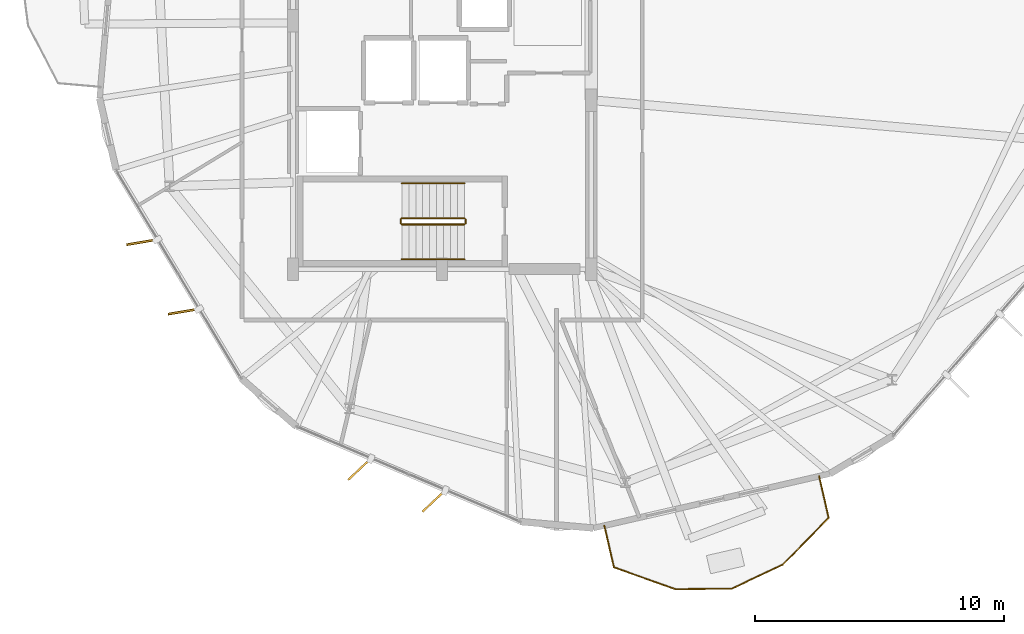
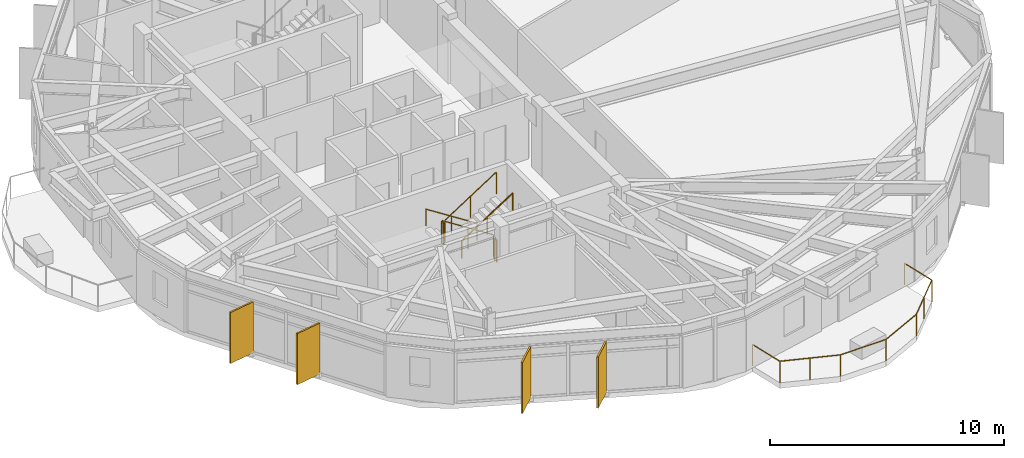
# One storey, part 25 of 27: 7 railings, 4 shading devices.
"""IFC4 building model written with IfcOpenShell, lengths in metres."""

from ifc_helpers import new_model, si_unit, direction, frame, origin, origin_2d, place, context, subcontext, project, spatial, rectangle, circle, extrude, material, layer, layer_set, type_object, element, save


model = new_model("IFC4")

# Units and contexts
model_context = context("Model", 3, precision=1e-05, world=origin(), true_north=direction((0.0, 1.0)))
body_context = subcontext(model_context, "Body", "Model", "MODEL_VIEW")
ifc_project = project(units=[si_unit("LENGTHUNIT", "METRE"), si_unit("AREAUNIT", "SQUARE_METRE"), si_unit("VOLUMEUNIT", "CUBIC_METRE"), si_unit("PLANEANGLEUNIT", "RADIAN"), si_unit("MASSUNIT", "GRAM", prefix="KILO")], contexts=[model_context])

# Site, building, storey
site_placement = place(None, origin())
site = spatial("IfcSite", under=ifc_project, at=site_placement, CompositionType="ELEMENT")
building_placement = place(site_placement, origin())
building = spatial("IfcBuilding", under=site, at=building_placement, Name="Soratama Intermodal Tower", CompositionType="ELEMENT")
storey_placement = place(building_placement, frame((0.0, 0.0, 212.199951171875)))
storey = spatial("IfcBuildingStorey", under=building, at=storey_placement, Name="L53", CompositionType="ELEMENT", Elevation=212.199951171875)

# Railings
ifc_material_1 = material(Name="Laminated glass and stainless steel balustrade", Category="steel")
railing_type_1 = type_object("IfcRailingType", Name="RL-BAL-1150", PredefinedType="BALUSTRADE", material=ifc_material_1)
railing_1_placement = place(storey_placement, frame((53.769287109375, 6.6669921875, 0.0)))
element("IfcRailing", 1, at=railing_1_placement, inside=storey, type_object=railing_type_1, Name="L53 Balcony Balustrade 3", PredefinedType="BALUSTRADE", context=body_context, shape_type="SweptSolid", body=[
    extrude(circle(Radius=0.02392578125, at=origin_2d()), frame((0.0, 0.0, 1.1259765625), z_axis=(0.224258231116, -0.974529756229, 0.0), x_axis=(0.974529756229, 0.224258231116, 0.0)), (0.0, 0.0, 1.0), 1.719970703125),
    extrude(circle(Radius=0.02392578125, at=origin_2d()), frame((0.3857421875, -1.67626953125, 1.1259765625), z_axis=(-0.700813470763, -0.713344572558, 0.0), x_axis=(0.713344572558, -0.700813470763, 0.0)), (0.0, 0.0, 1.0), 2.630126953125),
    extrude(circle(Radius=0.02392578125, at=origin_2d()), frame((-1.45751953125, -3.552490234375, 1.1259765625), z_axis=(-0.904125158054, -0.427267713003, 0.0), x_axis=(0.427267713003, -0.904125158054, 0.0)), (0.0, 0.0, 1.0), 2.26953125),
    extrude(circle(Radius=0.02392578125, at=origin_2d()), frame((-3.509521484375, -4.522216796875, 1.1259765625), z_axis=(-0.999939807982, -0.010971800819, 0.0), x_axis=(0.010971800819, -0.999939807982, 0.0)), (0.0, 0.0, 1.0), 2.269775390625),
    extrude(circle(Radius=0.02392578125, at=origin_2d()), frame((-5.779052734375, -4.547119140625, 1.1259765625), z_axis=(-0.942123503754, 0.335266019267, 0.0), x_axis=(-0.335266019267, -0.942123503754, 0.0)), (0.0, 0.0, 1.0), 2.63037109375),
    extrude(circle(Radius=0.02392578125, at=origin_2d()), frame((-8.257080078125, -3.665283203125, 1.1259765625), z_axis=(-0.224258231116, 0.974529756229, 0.0), x_axis=(-0.974529756229, -0.224258231116, 0.0)), (0.0, 0.0, 1.0), 1.719970703125),
    extrude(circle(Radius=0.02099609375, at=origin_2d()), origin(), (0.0, 0.0, 1.0), 1.101806640625),
    extrude(circle(Radius=0.02099609375, at=origin_2d()), frame((0.3857421875, -1.67626953125, 0.0)), (0.0, 0.0, 1.0), 1.101806640625),
    extrude(circle(Radius=0.02099609375, at=origin_2d()), frame((-0.535888671875, -2.6142578125, 0.0)), (0.0, 0.0, 1.0), 1.101806640625),
    extrude(circle(Radius=0.02099609375, at=origin_2d()), frame((-1.45751953125, -3.552490234375, 0.0)), (0.0, 0.0, 1.0), 1.101806640625),
    extrude(circle(Radius=0.02099609375, at=origin_2d()), frame((-3.509521484375, -4.522216796875, 0.0)), (0.0, 0.0, 1.0), 1.101806640625),
    extrude(circle(Radius=0.02099609375, at=origin_2d()), frame((-5.779052734375, -4.547119140625, 0.0)), (0.0, 0.0, 1.0), 1.101806640625),
    extrude(circle(Radius=0.02099609375, at=origin_2d()), frame((-7.01806640625, -4.106201171875, 0.0)), (0.0, 0.0, 1.0), 1.101806640625),
    extrude(circle(Radius=0.02099609375, at=origin_2d()), frame((-8.257080078125, -3.665283203125, 0.0)), (0.0, 0.0, 1.0), 1.101806640625),
    extrude(circle(Radius=0.02099609375, at=origin_2d()), frame((-8.642822265625, -1.989013671875, 0.0)), (0.0, 0.0, 1.0), 1.101806640625),
])
ifc_material_2 = material(Name="Painted steel stair guardrail", Category="steel")
railing_type_2 = type_object("IfcRailingType", Name="RL-STAIR-GUARD", PredefinedType="GUARDRAIL", material=ifc_material_2)
railing_2_placement = place(storey_placement, frame((39.5, 17.050048828125, 0.179931640625)))
element("IfcRailing", 2, at=railing_2_placement, inside=storey, type_object=railing_type_2, Name="L53 ST-1 stair guard 1", PredefinedType="GUARDRAIL", context=body_context, shape_type="SweptSolid", body=[
    extrude(circle(Radius=0.02392578125, at=origin_2d()), frame((0.0, 0.0, 1.1259765625), z_axis=(-0.841162588446, 0.0, 0.540782303519), x_axis=(0.0, -1.0, 0.0)), (0.0, 0.0, 1.0), 2.995849609375),
    extrude(circle(Radius=0.02099609375, at=origin_2d()), origin(), (0.0, 0.0, 1.0), 1.101806640625),
    extrude(circle(Radius=0.02099609375, at=origin_2d()), frame((-1.260009765625, 0.0, 0.81005859375)), (0.0, 0.0, 1.0), 1.101806640625),
    extrude(circle(Radius=0.02099609375, at=origin_2d()), frame((-2.52001953125, 0.0, 1.6201171875)), (0.0, 0.0, 1.0), 1.101806640625),
])
railing_3_placement = place(storey_placement, frame((36.929931640625, 17.0, 1.800048828125)))
element("IfcRailing", 3, at=railing_3_placement, inside=storey, type_object=railing_type_2, Name="L53 ST-1 stair guard 2", PredefinedType="GUARDRAIL", context=body_context, shape_type="SweptSolid", body=[
    extrude(circle(Radius=0.02392578125, at=origin_2d()), frame((0.0, 0.0, 1.1259765625), z_axis=(0.0, -1.0, 0.0), x_axis=(1.0, 0.0, 0.0)), (0.0, 0.0, 1.0), 0.14990234375),
    extrude(circle(Radius=0.02099609375, at=origin_2d()), origin(), (0.0, 0.0, 1.0), 1.101806640625),
    extrude(circle(Radius=0.02099609375, at=origin_2d()), frame((0.0, -0.14990234375, 0.0)), (0.0, 0.0, 1.0), 1.101806640625),
])
railing_4_placement = place(storey_placement, frame((36.97998046875, 16.800048828125, 1.97998046875)))
element("IfcRailing", 4, at=railing_4_placement, inside=storey, type_object=railing_type_2, Name="L53 ST-1 stair guard 3", PredefinedType="GUARDRAIL", context=body_context, shape_type="SweptSolid", body=[
    extrude(circle(Radius=0.02392578125, at=origin_2d()), frame((0.0, 0.0, 1.1259765625), z_axis=(0.841162588446, 0.0, 0.540782303519), x_axis=(0.0, 1.0, 0.0)), (0.0, 0.0, 1.0), 2.995849609375),
    extrude(circle(Radius=0.02099609375, at=origin_2d()), origin(), (0.0, 0.0, 1.0), 1.101806640625),
    extrude(circle(Radius=0.02099609375, at=origin_2d()), frame((1.260009765625, 0.0, 0.81005859375)), (0.0, 0.0, 1.0), 1.101806640625),
    extrude(circle(Radius=0.02099609375, at=origin_2d()), frame((2.52001953125, 0.0, 1.6201171875)), (0.0, 0.0, 1.0), 1.101806640625),
])
railing_5_placement = place(storey_placement, frame((39.550048828125, 17.0, 0.0)))
element("IfcRailing", 5, at=railing_5_placement, inside=storey, type_object=railing_type_2, Name="L53 ST-1 stair guard 4", PredefinedType="GUARDRAIL", context=body_context, shape_type="SweptSolid", body=[
    extrude(circle(Radius=0.02392578125, at=origin_2d()), frame((0.0, 0.0, 1.1259765625), z_axis=(0.0, -1.0, 0.0), x_axis=(1.0, 0.0, 0.0)), (0.0, 0.0, 1.0), 0.14990234375),
    extrude(circle(Radius=0.02099609375, at=origin_2d()), origin(), (0.0, 0.0, 1.0), 1.101806640625),
    extrude(circle(Radius=0.02099609375, at=origin_2d()), frame((0.0, -0.14990234375, 0.0)), (0.0, 0.0, 1.0), 1.101806640625),
])
ifc_material_3 = material(Name="Brushed stainless steel handrail", Category="steel")
railing_type_3 = type_object("IfcRailingType", Name="RL-STAIR-HAND", PredefinedType="HANDRAIL", material=ifc_material_3)
railing_6_placement = place(storey_placement, frame((39.5, 18.449951171875, 0.179931640625)))
element("IfcRailing", 6, at=railing_6_placement, inside=storey, type_object=railing_type_3, Name="L53 ST-1 stair handrail 1", PredefinedType="HANDRAIL", context=body_context, shape_type="SweptSolid", body=[
    extrude(circle(Radius=0.02392578125, at=origin_2d()), frame((0.0, 0.0, 0.8759765625), z_axis=(-0.841162588446, 0.0, 0.540782303519), x_axis=(0.0, -1.0, 0.0)), (0.0, 0.0, 1.0), 2.995849609375),
    extrude(circle(Radius=0.02099609375, at=origin_2d()), origin(), (0.0, 0.0, 1.0), 0.851806640625),
    extrude(circle(Radius=0.02099609375, at=origin_2d()), frame((-1.260009765625, 0.0, 0.81005859375)), (0.0, 0.0, 1.0), 0.851806640625),
    extrude(circle(Radius=0.02099609375, at=origin_2d()), frame((-2.52001953125, 0.0, 1.6201171875)), (0.0, 0.0, 1.0), 0.851806640625),
])
railing_7_placement = place(storey_placement, frame((36.97998046875, 15.39990234375, 1.97998046875)))
element("IfcRailing", 7, at=railing_7_placement, inside=storey, type_object=railing_type_3, Name="L53 ST-1 stair handrail 2", PredefinedType="HANDRAIL", context=body_context, shape_type="SweptSolid", body=[
    extrude(circle(Radius=0.02392578125, at=origin_2d()), frame((0.0, 0.0, 0.8759765625), z_axis=(0.841162588446, 0.0, 0.540782303519), x_axis=(0.0, 1.0, 0.0)), (0.0, 0.0, 1.0), 2.995849609375),
    extrude(circle(Radius=0.02099609375, at=origin_2d()), origin(), (0.0, 0.0, 1.0), 0.851806640625),
    extrude(circle(Radius=0.02099609375, at=origin_2d()), frame((1.260009765625, 0.0, 0.81005859375)), (0.0, 0.0, 1.0), 0.851806640625),
    extrude(circle(Radius=0.02099609375, at=origin_2d()), frame((2.52001953125, 0.0, 1.6201171875)), (0.0, 0.0, 1.0), 0.851806640625),
])

# Shading devices
ifc_material_4 = material(Name="Champagne anodised aluminium solar fin", Category="aluminium")
ifc_layer = layer(ifc_material_4, 0.080078125)
ifc_layer_set = layer_set([ifc_layer], Name="Champagne anodised aluminium solar fin")
shading_device_type = type_object("IfcShadingDeviceType", Name="SH-FIN-1250", PredefinedType="USERDEFINED", material=ifc_layer_set)
for number, where, z_axis, x_axis, name in (
    (8, (26.519287109375, 16.086181640625, 0.02001953125), (0.0, 0.0, 1.0), (-0.986054190273, -0.166424559018, 0.0), "L53 Solar Fin F05-1"),
    (9, (28.1943359375, 13.293701171875, 0.02001953125), (0.0, 0.0, 1.0), (-0.986054190273, -0.166424559018, 0.0), "L53 Solar Fin F05-2"),
    (10, (35.27001953125, 6.9443359375, 0.02001953125), (0.0, 0.0, 1.0), (-0.728251371798, -0.685310104606, 0.0), "L53 Solar Fin F06-1"),
    (11, (38.2666015625, 5.669921875, 0.02001953125), (0.0, 0.0, 1.0), (-0.728251371798, -0.685310104606, 0.0), "L53 Solar Fin F06-2"),
):
    element("IfcShadingDevice", number, at=place(storey_placement, frame(where, z_axis=z_axis, x_axis=x_axis)), inside=storey, type_object=shading_device_type, Name=name, ObjectType="FIN", PredefinedType="USERDEFINED", context=body_context, shape_type="SweptSolid", body=[
        extrude(rectangle(XDim=1.25, YDim=0.080078125, at=origin_2d()), origin(), (0.0, 0.0, 1.0), 2.658935546875),
    ])

save(model, "model.ifc")
